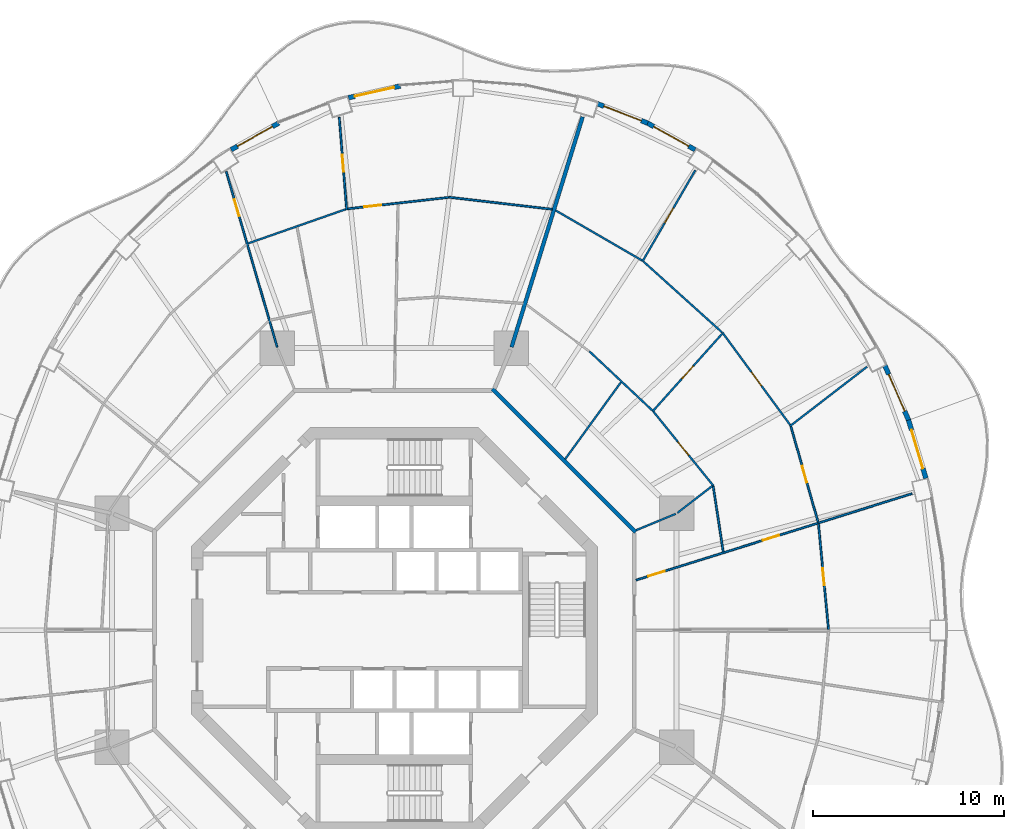
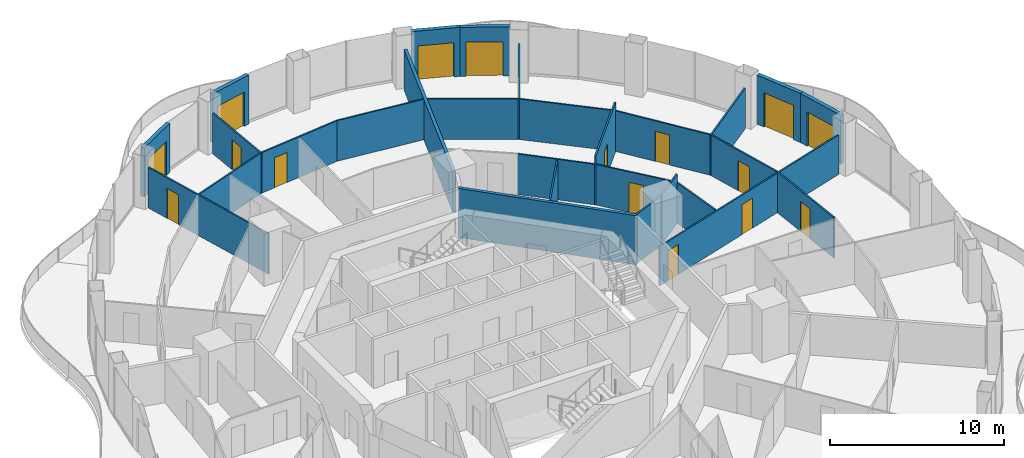
# One storey, part 15 of 19: 28 walls, 17 doors, 17 openings.
"""IFC4 building model written with IfcOpenShell, lengths in metres."""

from ifc_helpers import new_model, si_unit, direction, frame, frame_2d, origin, place, context, subcontext, project, spatial, rectangle, extrude, material, layer, layer_set, type_object, element, fill, save


model = new_model("IFC4")

# Units and contexts
model_context = context("Model", 3, precision=1e-05, world=origin(), true_north=direction((0.0, 1.0)))
body_context = subcontext(model_context, "Body", "Model", "MODEL_VIEW")
ifc_project = project(units=[si_unit("LENGTHUNIT", "METRE"), si_unit("AREAUNIT", "SQUARE_METRE"), si_unit("VOLUMEUNIT", "CUBIC_METRE"), si_unit("PLANEANGLEUNIT", "RADIAN"), si_unit("MASSUNIT", "GRAM", prefix="KILO")], contexts=[model_context])

# Site, building, storey
site_placement = place(None, origin())
site = spatial("IfcSite", under=ifc_project, at=site_placement, CompositionType="ELEMENT")
building_placement = place(site_placement, origin())
building = spatial("IfcBuilding", under=site, at=building_placement, Name="Nagisa Residences", CompositionType="ELEMENT")
storey_placement = place(building_placement, frame((0.0, 0.0, 173.300048828125)))
storey = spatial("IfcBuildingStorey", under=building, at=storey_placement, Name="L43", CompositionType="ELEMENT", Elevation=173.300048828125)

# Walls
ifc_material_1 = material(Name="Gypsum board on steel studs", Category="steel")
ifc_layer_1 = layer(ifc_material_1, 0.199951171875)
ifc_layer_set_1 = layer_set([ifc_layer_1], Name="Apartment compartment wall EI60 200")
wall_type_1 = type_object("IfcWallType", Name="Apartment compartment wall EI60 200", PredefinedType="PARTITIONING", material=ifc_layer_set_1)
wall_1_placement = place(storey_placement, frame((6.1376953125, 14.829833984375, 0.0), z_axis=(0.0, 0.0, 1.0), x_axis=(0.294818517221, 0.955553264818, 0.0)))
element("IfcWall", 1, at=wall_1_placement, inside=storey, type_object=wall_type_1, Name="wall:L43:u01", PredefinedType="PARTITIONING", context=body_context, shape_type="SweptSolid", body=[
    extrude(rectangle(XDim=12.619384765625, YDim=0.199951171875, at=frame_2d((6.3095703125, 0.0))), origin(), (0.0, 0.0, 1.0), 2.8369140625),
])
ifc_material_2 = material(Name="Gypsum board on steel studs", Category="steel")
ifc_layer_2 = layer(ifc_material_2, 0.199951171875)
ifc_layer_set_2 = layer_set([ifc_layer_2], Name="Apartment entry wall EI60 200")
wall_type_2 = type_object("IfcWallType", Name="Apartment entry wall EI60 200", PredefinedType="PARTITIONING", material=ifc_layer_set_2)
wall_2_placement = place(storey_placement, frame((12.635498046875, 5.1337890625, 0.0), z_axis=(0.0, 0.0, 1.0), x_axis=(-0.707106781187, 0.707106781187, 0.0)))
element("IfcWall", 2, at=wall_2_placement, inside=storey, type_object=wall_type_2, Name="wall:L43:u09", PredefinedType="PARTITIONING", context=body_context, shape_type="SweptSolid", body=[
    extrude(rectangle(XDim=10.609130859375, YDim=0.199951171875, at=frame_2d((5.3046875, 0.0))), origin(), (0.0, 0.0, 1.0), 3.43994140625),
])

# Wall, opening, door
ifc_material_3 = material(Name="Gypsum board on steel studs", Category="steel")
ifc_layer_3 = layer(ifc_material_3, 0.10009765625)
ifc_layer_set_3 = layer_set([ifc_layer_3], Name="Apartment partition 100")
wall_type_3 = type_object("IfcWallType", Name="Apartment partition 100", PredefinedType="PARTITIONING", material=ifc_layer_set_3)
wall_3_placement = place(storey_placement, frame((22.734375, 0.0498046875, 0.0), z_axis=(0.0, 0.0, 1.0), x_axis=(-0.094923312677, 0.995484587882, 0.0)))
wall_3 = element("IfcWall", 3, at=wall_3_placement, inside=storey, type_object=wall_type_3, Name="wall:L43:u18", PredefinedType="PARTITIONING", context=body_context, shape_type="SweptSolid", body=[
    extrude(rectangle(XDim=5.5478515625, YDim=0.10009765625, at=frame_2d((2.77392578125, 0.0))), origin(), (0.0, 0.0, 1.0), 2.8369140625),
])
opening_1_placement = place(wall_3_placement, frame((2.323974609375, 0.0, 0.0)))
opening_1 = element("IfcOpeningElement", 4, at=opening_1_placement, cuts=wall_3, Name="Opening L43-U09", PredefinedType="OPENING", context=body_context, shape_type="SweptSolid", body=[
    extrude(rectangle(XDim=0.89990234375, YDim=2.10009765625, at=frame_2d((0.449951171875, 1.050048828125))), frame((0.0, 0.06005859375, 0.0), z_axis=(0.0, -1.0, 0.0), x_axis=(1.0, 0.0, 0.0)), (0.0, 0.0, 1.0), 0.1201171875),
])
ifc_material_4 = material(Name="Timber door set", Category="wood")
door_type_1 = type_object("IfcDoorType", Name="Apartment door 900x2100", OperationType="NOTDEFINED", PredefinedType="DOOR", material=ifc_material_4)
door_1_placement = place(opening_1_placement, frame((0.89990234375, 0.0, 0.0), x_axis=(-1.0, 0.0, 0.0)))
door_1 = element("IfcDoor", 5, at=door_1_placement, inside=storey, type_object=door_type_1, Name="Door to dining room, Apartment 43A", OperationType="SINGLE_SWING_RIGHT", OverallHeight=2.10009765625, OverallWidth=0.89990234375, PredefinedType="DOOR", context=body_context, shape_type="SweptSolid", body=[
    extrude(rectangle(XDim=0.89990234375, YDim=2.10009765625, at=frame_2d((0.449951171875, 1.050048828125))), frame((0.0, 0.02490234375, 0.0), z_axis=(0.0, -1.0, 0.0), x_axis=(1.0, 0.0, 0.0)), (0.0, 0.0, 1.0), 0.050048828125),
])
fill(opening_1, door_1)

# Wall, openings, doors
wall_4_placement = place(storey_placement, frame((12.66015625, 2.632080078125, 0.0), z_axis=(0.0, 0.0, 1.0), x_axis=(0.954248738607, 0.299013954302, 0.0)))
wall_4 = element("IfcWall", 6, at=wall_4_placement, inside=storey, type_object=wall_type_3, Name="wall:L43:u20", PredefinedType="PARTITIONING", context=body_context, shape_type="SweptSolid", body=[
    extrude(rectangle(XDim=15.141845703125, YDim=0.10009765625, at=frame_2d((7.57080078125, 0.0))), origin(), (0.0, 0.0, 1.0), 2.755859375),
])
opening_2_placement = place(wall_4_placement, frame((0.668701171875, 0.0, 0.0)))
opening_2 = element("IfcOpeningElement", 7, at=opening_2_placement, cuts=wall_4, Name="Opening L43-U03", PredefinedType="OPENING", context=body_context, shape_type="SweptSolid", body=[
    extrude(rectangle(XDim=0.89990234375, YDim=2.10009765625, at=frame_2d((0.449951171875, 1.050048828125))), frame((0.0, 0.06005859375, 0.0), z_axis=(0.0, -1.0, 0.0), x_axis=(1.0, 0.0, 0.0)), (0.0, 0.0, 1.0), 0.1201171875),
])
opening_3_placement = place(wall_4_placement, frame((6.94384765625, 0.0, 0.0)))
opening_3 = element("IfcOpeningElement", 8, at=opening_3_placement, cuts=wall_4, Name="Opening L43-U06", PredefinedType="OPENING", context=body_context, shape_type="SweptSolid", body=[
    extrude(rectangle(XDim=0.89990234375, YDim=2.10009765625, at=frame_2d((0.449951171875, 1.050048828125))), frame((0.0, 0.06005859375, 0.0), z_axis=(0.0, -1.0, 0.0), x_axis=(1.0, 0.0, 0.0)), (0.0, 0.0, 1.0), 0.1201171875),
])
door_2_placement = place(opening_2_placement, origin())
door_2 = element("IfcDoor", 9, at=door_2_placement, inside=storey, type_object=door_type_1, Name="Door to family bathroom, Apartment 43A", OperationType="SINGLE_SWING_LEFT", OverallHeight=2.10009765625, OverallWidth=0.89990234375, PredefinedType="DOOR", context=body_context, shape_type="SweptSolid", body=[
    extrude(rectangle(XDim=0.89990234375, YDim=2.10009765625, at=frame_2d((0.449951171875, 1.050048828125))), frame((0.0, 0.02490234375, 0.0), z_axis=(0.0, -1.0, 0.0), x_axis=(1.0, 0.0, 0.0)), (0.0, 0.0, 1.0), 0.050048828125),
])
fill(opening_2, door_2)
door_3_placement = place(opening_3_placement, origin())
door_3 = element("IfcDoor", 10, at=door_3_placement, inside=storey, type_object=door_type_1, Name="Door to dining room, Apartment 43A", OperationType="SINGLE_SWING_RIGHT", OverallHeight=2.10009765625, OverallWidth=0.89990234375, PredefinedType="DOOR", context=body_context, shape_type="SweptSolid", body=[
    extrude(rectangle(XDim=0.89990234375, YDim=2.10009765625, at=frame_2d((0.449951171875, 1.050048828125))), frame((0.0, 0.02490234375, 0.0), z_axis=(0.0, -1.0, 0.0), x_axis=(1.0, 0.0, 0.0)), (0.0, 0.0, 1.0), 0.050048828125),
])
fill(opening_3, door_3)

# Wall
wall_5_placement = place(storey_placement, frame((17.220947265625, 4.113037109375, 0.0), z_axis=(0.0, 0.0, 1.0), x_axis=(-0.151078880423, 0.988521710379, 0.0)))
element("IfcWall", 11, at=wall_5_placement, inside=storey, type_object=wall_type_3, Name="wall:L43:u21", PredefinedType="PARTITIONING", context=body_context, shape_type="SweptSolid", body=[
    extrude(rectangle(XDim=3.469482421875, YDim=0.10009765625, at=frame_2d((1.73486328125, 0.0))), origin(), (0.0, 0.0, 1.0), 2.8369140625),
])

# Wall, opening, door
wall_6_placement = place(storey_placement, frame((22.189453125, 5.67041015625, 0.0), z_axis=(0.0, 0.0, 1.0), x_axis=(-0.273815967041, 0.961782104322, 0.0)))
wall_6 = element("IfcWall", 12, at=wall_6_placement, inside=storey, type_object=wall_type_3, Name="wall:L43:u22", PredefinedType="PARTITIONING", context=body_context, shape_type="SweptSolid", body=[
    extrude(rectangle(XDim=5.20166015625, YDim=0.10009765625, at=frame_2d((2.600830078125, 0.0))), origin(), (0.0, 0.0, 1.0), 2.8369140625),
])
opening_4_placement = place(wall_6_placement, frame((2.15087890625, 0.0, 0.0)))
opening_4 = element("IfcOpeningElement", 13, at=opening_4_placement, cuts=wall_6, Name="Opening L43-U10", PredefinedType="OPENING", context=body_context, shape_type="SweptSolid", body=[
    extrude(rectangle(XDim=0.89990234375, YDim=2.10009765625, at=frame_2d((0.449951171875, 1.050048828125))), frame((0.0, 0.06005859375, 0.0), z_axis=(0.0, -1.0, 0.0), x_axis=(1.0, 0.0, 0.0)), (0.0, 0.0, 1.0), 0.1201171875),
])
door_4_placement = place(opening_4_placement, frame((0.89990234375, 0.0, 0.0), x_axis=(-1.0, 0.0, 0.0)))
door_4 = element("IfcDoor", 14, at=door_4_placement, inside=storey, type_object=door_type_1, Name="Door to master bedroom, Apartment 43A", OperationType="SINGLE_SWING_LEFT", OverallHeight=2.10009765625, OverallWidth=0.89990234375, PredefinedType="DOOR", context=body_context, shape_type="SweptSolid", body=[
    extrude(rectangle(XDim=0.89990234375, YDim=2.10009765625, at=frame_2d((0.449951171875, 1.050048828125))), frame((0.0, 0.02490234375, 0.0), z_axis=(0.0, -1.0, 0.0), x_axis=(1.0, 0.0, 0.0)), (0.0, 0.0, 1.0), 0.050048828125),
])
fill(opening_4, door_4)

# Walls
wall_7_placement = place(storey_placement, frame((12.6572265625, 5.24267578125, 0.0), z_axis=(0.0, 0.0, 1.0), x_axis=(0.923826362943, 0.382811769845, 0.0)))
element("IfcWall", 15, at=wall_7_placement, inside=storey, type_object=wall_type_3, Name="wall:L43:u23", PredefinedType="PARTITIONING", context=body_context, shape_type="SweptSolid", body=[
    extrude(rectangle(XDim=2.25, YDim=0.10009765625, at=frame_2d((1.125, 0.0))), origin(), (0.0, 0.0, 1.0), 3.43994140625),
])
wall_8_placement = place(storey_placement, frame((14.82177734375, 6.153564453125, 0.0), z_axis=(0.0, 0.0, 1.0), x_axis=(0.792226528082, 0.610227111987, 0.0)))
element("IfcWall", 16, at=wall_8_placement, inside=storey, type_object=wall_type_3, Name="wall:L43:u24", PredefinedType="PARTITIONING", context=body_context, shape_type="SweptSolid", body=[
    extrude(rectangle(XDim=2.307373046875, YDim=0.10009765625, at=frame_2d((1.15380859375, 0.0))), origin(), (0.0, 0.0, 1.0), 3.43994140625),
])

# Wall, opening, door
wall_9_placement = place(storey_placement, frame((16.720703125, 7.55322265625, 0.0), z_axis=(0.0, 0.0, 1.0), x_axis=(-0.628753513808, 0.777604667472, 0.0)))
wall_9 = element("IfcWall", 17, at=wall_9_placement, inside=storey, type_object=wall_type_3, Name="wall:L43:u25", PredefinedType="PARTITIONING", context=body_context, shape_type="SweptSolid", body=[
    extrude(rectangle(XDim=5.00732421875, YDim=0.10009765625, at=frame_2d((2.503662109375, 0.0))), origin(), (0.0, 0.0, 1.0), 2.8369140625),
])
opening_5_placement = place(wall_9_placement, frame((2.07861328125, 0.0, 0.0)))
opening_5 = element("IfcOpeningElement", 18, at=opening_5_placement, cuts=wall_9, Name="Opening L43-U13", PredefinedType="OPENING", context=body_context, shape_type="SweptSolid", body=[
    extrude(rectangle(XDim=0.89990234375, YDim=2.10009765625, at=frame_2d((0.449951171875, 1.050048828125))), frame((0.0, 0.06005859375, 0.0), z_axis=(0.0, -1.0, 0.0), x_axis=(1.0, 0.0, 0.0)), (0.0, 0.0, 1.0), 0.1201171875),
])
door_5_placement = place(opening_5_placement, origin())
door_5 = element("IfcDoor", 19, at=door_5_placement, inside=storey, type_object=door_type_1, Name="Door to store, Apartment 43A", OperationType="SINGLE_SWING_LEFT", OverallHeight=2.10009765625, OverallWidth=0.89990234375, PredefinedType="DOOR", context=body_context, shape_type="SweptSolid", body=[
    extrude(rectangle(XDim=0.89990234375, YDim=2.10009765625, at=frame_2d((0.449951171875, 1.050048828125))), frame((0.0, 0.02490234375, 0.0), z_axis=(0.0, -1.0, 0.0), x_axis=(1.0, 0.0, 0.0)), (0.0, 0.0, 1.0), 0.050048828125),
])
fill(opening_5, door_5)

# Wall
wall_10_placement = place(storey_placement, frame((20.7119140625, 10.69091796875, 0.0), z_axis=(0.0, 0.0, 1.0), x_axis=(0.79220362146, 0.610256849323, 0.0)))
element("IfcWall", 20, at=wall_10_placement, inside=storey, type_object=wall_type_3, Name="wall:L43:u26", PredefinedType="PARTITIONING", context=body_context, shape_type="SweptSolid", body=[
    extrude(rectangle(XDim=5.09765625, YDim=0.10009765625, at=frame_2d((2.548828125, 0.0))), origin(), (0.0, 0.0, 1.0), 2.8369140625),
])

# Wall, opening, door
wall_11_placement = place(storey_placement, frame((20.721923828125, 10.76171875, 0.0), z_axis=(0.0, 0.0, 1.0), x_axis=(-0.591124135033, 0.806580595466, 0.0)))
wall_11 = element("IfcWall", 21, at=wall_11_placement, inside=storey, type_object=wall_type_3, Name="wall:L43:u27", PredefinedType="PARTITIONING", context=body_context, shape_type="SweptSolid", body=[
    extrude(rectangle(XDim=6.01025390625, YDim=0.10009765625, at=frame_2d((3.005126953125, 0.0))), origin(), (0.0, 0.0, 1.0), 2.8369140625),
])
opening_6_placement = place(wall_11_placement, frame((2.530029296875, 0.0, 0.0)))
opening_6 = element("IfcOpeningElement", 22, at=opening_6_placement, cuts=wall_11, Name="Opening L43-U11", PredefinedType="OPENING", context=body_context, shape_type="SweptSolid", body=[
    extrude(rectangle(XDim=0.89990234375, YDim=2.10009765625, at=frame_2d((0.449951171875, 1.050048828125))), frame((0.0, 0.06005859375, 0.0), z_axis=(0.0, -1.0, 0.0), x_axis=(1.0, 0.0, 0.0)), (0.0, 0.0, 1.0), 0.1201171875),
])
door_6_placement = place(opening_6_placement, frame((0.89990234375, 0.0, 0.0), x_axis=(-1.0, 0.0, 0.0)))
door_6 = element("IfcDoor", 23, at=door_6_placement, inside=storey, type_object=door_type_1, Name="Door to family room, Apartment 43A", OperationType="SINGLE_SWING_RIGHT", OverallHeight=2.10009765625, OverallWidth=0.89990234375, PredefinedType="DOOR", context=body_context, shape_type="SweptSolid", body=[
    extrude(rectangle(XDim=0.89990234375, YDim=2.10009765625, at=frame_2d((0.449951171875, 1.050048828125))), frame((0.0, 0.02490234375, 0.0), z_axis=(0.0, -1.0, 0.0), x_axis=(1.0, 0.0, 0.0)), (0.0, 0.0, 1.0), 0.050048828125),
])
fill(opening_6, door_6)

wall_12_placement = place(storey_placement, frame((13.50732421875, 11.44873046875, 0.0), z_axis=(0.0, 0.0, 1.0), x_axis=(0.667299792168, 0.744789223453, 0.0)))
wall_12 = element("IfcWall", 24, at=wall_12_placement, inside=storey, type_object=wall_type_3, Name="wall:L43:u28", PredefinedType="PARTITIONING", context=body_context, shape_type="SweptSolid", body=[
    extrude(rectangle(XDim=5.482177734375, YDim=0.10009765625, at=frame_2d((2.7412109375, 0.0))), origin(), (0.0, 0.0, 1.0), 3.43994140625),
])
opening_7_placement = place(wall_12_placement, frame((2.316162109375, 0.0, 0.0)))
opening_7 = element("IfcOpeningElement", 25, at=opening_7_placement, cuts=wall_12, Name="Opening L43-U07", PredefinedType="OPENING", context=body_context, shape_type="SweptSolid", body=[
    extrude(rectangle(XDim=0.89990234375, YDim=2.10009765625, at=frame_2d((0.449951171875, 1.050048828125))), frame((0.0, 0.06005859375, 0.0), z_axis=(0.0, -1.0, 0.0), x_axis=(1.0, 0.0, 0.0)), (0.0, 0.0, 1.0), 0.1201171875),
])
door_7_placement = place(opening_7_placement, origin())
door_7 = element("IfcDoor", 26, at=door_7_placement, inside=storey, type_object=door_type_1, Name="Door to family room, Apartment 43A", OperationType="SINGLE_SWING_LEFT", OverallHeight=2.10009765625, OverallWidth=0.89990234375, PredefinedType="DOOR", context=body_context, shape_type="SweptSolid", body=[
    extrude(rectangle(XDim=0.89990234375, YDim=2.10009765625, at=frame_2d((0.449951171875, 1.050048828125))), frame((0.0, 0.02490234375, 0.0), z_axis=(0.0, -1.0, 0.0), x_axis=(1.0, 0.0, 0.0)), (0.0, 0.0, 1.0), 0.050048828125),
])
fill(opening_7, door_7)

# Walls
wall_13_placement = place(storey_placement, frame((13.50439453125, 11.52001953125, 0.0), z_axis=(0.0, 0.0, 1.0), x_axis=(-0.728883199496, 0.684638066055, 0.0)))
element("IfcWall", 27, at=wall_13_placement, inside=storey, type_object=wall_type_3, Name="wall:L43:u29", PredefinedType="PARTITIONING", context=body_context, shape_type="SweptSolid", body=[
    extrude(rectangle(XDim=4.519287109375, YDim=0.10009765625, at=frame_2d((2.259765625, 0.0))), origin(), (0.0, 0.0, 1.0), 2.8369140625),
])
wall_14_placement = place(storey_placement, frame((17.16162109375, 15.6025390625, 0.0), z_axis=(0.0, 0.0, 1.0), x_axis=(-0.742790086539, 0.66952437397, 0.0)))
element("IfcWall", 28, at=wall_14_placement, inside=storey, type_object=wall_type_3, Name="wall:L43:u30", PredefinedType="PARTITIONING", context=body_context, shape_type="SweptSolid", body=[
    extrude(rectangle(XDim=5.54150390625, YDim=0.10009765625, at=frame_2d((2.770751953125, 0.0))), origin(), (0.0, 0.0, 1.0), 2.8369140625),
])
wall_15_placement = place(storey_placement, frame((8.943359375, 8.965576171875, 0.0), z_axis=(0.0, 0.0, 1.0), x_axis=(0.587187896734, 0.809450661825, 0.0)))
element("IfcWall", 29, at=wall_15_placement, inside=storey, type_object=wall_type_3, Name="wall:L43:u31", PredefinedType="PARTITIONING", context=body_context, shape_type="SweptSolid", body=[
    extrude(rectangle(XDim=4.974853515625, YDim=0.10009765625, at=frame_2d((2.4873046875, 0.0))), origin(), (0.0, 0.0, 1.0), 2.755859375),
])

# Wall, opening, door
wall_16_placement = place(storey_placement, frame((12.983154296875, 19.302978515625, 0.0), z_axis=(0.0, 0.0, 1.0), x_axis=(0.501315846071, 0.865264365659, 0.0)))
wall_16 = element("IfcWall", 30, at=wall_16_placement, inside=storey, type_object=wall_type_3, Name="wall:L43:u33", PredefinedType="PARTITIONING", context=body_context, shape_type="SweptSolid", body=[
    extrude(rectangle(XDim=5.54150390625, YDim=0.10009765625, at=frame_2d((2.770751953125, 0.0))), origin(), (0.0, 0.0, 1.0), 2.8369140625),
])
opening_8_placement = place(wall_16_placement, frame((2.345703125, 0.0, 0.0)))
opening_8 = element("IfcOpeningElement", 31, at=opening_8_placement, cuts=wall_16, Name="Opening L43-U12", PredefinedType="OPENING", context=body_context, shape_type="SweptSolid", body=[
    extrude(rectangle(XDim=0.89990234375, YDim=2.10009765625, at=frame_2d((0.449951171875, 1.050048828125))), frame((0.0, 0.06005859375, 0.0), z_axis=(0.0, -1.0, 0.0), x_axis=(1.0, 0.0, 0.0)), (0.0, 0.0, 1.0), 0.1201171875),
])
door_8_placement = place(opening_8_placement, origin())
door_8 = element("IfcDoor", 32, at=door_8_placement, inside=storey, type_object=door_type_1, Name="Door to living room, Apartment 43A", OperationType="SINGLE_SWING_RIGHT", OverallHeight=2.10009765625, OverallWidth=0.89990234375, PredefinedType="DOOR", context=body_context, shape_type="SweptSolid", body=[
    extrude(rectangle(XDim=0.89990234375, YDim=2.10009765625, at=frame_2d((0.449951171875, 1.050048828125))), frame((0.0, 0.02490234375, 0.0), z_axis=(0.0, -1.0, 0.0), x_axis=(1.0, 0.0, 0.0)), (0.0, 0.0, 1.0), 0.050048828125),
])
fill(opening_8, door_8)

# Walls
wall_17_placement = place(storey_placement, frame((12.965087890625, 19.371337890625, 0.0), z_axis=(0.0, 0.0, 1.0), x_axis=(-0.865286427811, 0.501277765163, 0.0)))
element("IfcWall", 33, at=wall_17_placement, inside=storey, type_object=wall_type_3, Name="wall:L43:u34", PredefinedType="PARTITIONING", context=body_context, shape_type="SweptSolid", body=[
    extrude(rectangle(XDim=5.219970703125, YDim=0.10009765625, at=frame_2d((2.60986328125, 0.0))), origin(), (0.0, 0.0, 1.0), 2.8369140625),
])
wall_18_placement = place(storey_placement, frame((8.262451171875, 22.0498046875, 0.0), z_axis=(0.0, 0.0, 1.0), x_axis=(-0.993250089265, 0.115992500516, 0.0)))
element("IfcWall", 34, at=wall_18_placement, inside=storey, type_object=wall_type_3, Name="wall:L43:u36", PredefinedType="PARTITIONING", context=body_context, shape_type="SweptSolid", body=[
    extrude(rectangle(XDim=5.457763671875, YDim=0.10009765625, at=frame_2d((2.72900390625, 0.0))), origin(), (0.0, 0.0, 1.0), 2.8369140625),
])

# Wall, opening, door
wall_19_placement = place(storey_placement, frame((2.841552734375, 22.67138671875, 0.0), z_axis=(0.0, 0.0, 1.0), x_axis=(-0.993660315081, -0.112424099879, 0.0)))
wall_19 = element("IfcWall", 35, at=wall_19_placement, inside=storey, type_object=wall_type_3, Name="wall:L43:u38", PredefinedType="PARTITIONING", context=body_context, shape_type="SweptSolid", body=[
    extrude(rectangle(XDim=5.32470703125, YDim=0.10009765625, at=frame_2d((2.662353515625, 0.0))), origin(), (0.0, 0.0, 1.0), 2.8369140625),
])
opening_9_placement = place(wall_19_placement, frame((3.543701171875, 0.0, 0.0)))
opening_9 = element("IfcOpeningElement", 36, at=opening_9_placement, cuts=wall_19, Name="Opening L43-U20", PredefinedType="OPENING", context=body_context, shape_type="SweptSolid", body=[
    extrude(rectangle(XDim=0.89990234375, YDim=2.10009765625, at=frame_2d((0.449951171875, 1.050048828125))), frame((0.0, 0.06005859375, 0.0), z_axis=(0.0, -1.0, 0.0), x_axis=(1.0, 0.0, 0.0)), (0.0, 0.0, 1.0), 0.1201171875),
])
door_9_placement = place(opening_9_placement, frame((0.89990234375, 0.0, 0.0), x_axis=(-1.0, 0.0, 0.0)))
door_9 = element("IfcDoor", 37, at=door_9_placement, inside=storey, type_object=door_type_1, Name="Door to living room, Apartment 43B", OperationType="SINGLE_SWING_LEFT", OverallHeight=2.10009765625, OverallWidth=0.89990234375, PredefinedType="DOOR", context=body_context, shape_type="SweptSolid", body=[
    extrude(rectangle(XDim=0.89990234375, YDim=2.10009765625, at=frame_2d((0.449951171875, 1.050048828125))), frame((0.0, 0.02490234375, 0.0), z_axis=(0.0, -1.0, 0.0), x_axis=(1.0, 0.0, 0.0)), (0.0, 0.0, 1.0), 0.050048828125),
])
fill(opening_9, door_9)

wall_20_placement = place(storey_placement, frame((-2.4951171875, 22.017333984375, 0.0), z_axis=(0.0, 0.0, 1.0), x_axis=(-0.080150660566, 0.99678276049, 0.0)))
wall_20 = element("IfcWall", 38, at=wall_20_placement, inside=storey, type_object=wall_type_3, Name="wall:L43:u40", PredefinedType="PARTITIONING", context=body_context, shape_type="SweptSolid", body=[
    extrude(rectangle(XDim=4.8583984375, YDim=0.10009765625, at=frame_2d((2.42919921875, 0.0))), origin(), (0.0, 0.0, 1.0), 2.8369140625),
])
opening_10_placement = place(wall_20_placement, frame((2.004150390625, 0.0, 0.0)))
opening_10 = element("IfcOpeningElement", 39, at=opening_10_placement, cuts=wall_20, Name="Opening L43-U21", PredefinedType="OPENING", context=body_context, shape_type="SweptSolid", body=[
    extrude(rectangle(XDim=0.89990234375, YDim=2.10009765625, at=frame_2d((0.449951171875, 1.050048828125))), frame((0.0, 0.06005859375, 0.0), z_axis=(0.0, -1.0, 0.0), x_axis=(1.0, 0.0, 0.0)), (0.0, 0.0, 1.0), 0.1201171875),
])
door_10_placement = place(opening_10_placement, origin())
door_10 = element("IfcDoor", 40, at=door_10_placement, inside=storey, type_object=door_type_1, Name="Door to bedroom, Apartment 43B", OperationType="SINGLE_SWING_LEFT", OverallHeight=2.10009765625, OverallWidth=0.89990234375, PredefinedType="DOOR", context=body_context, shape_type="SweptSolid", body=[
    extrude(rectangle(XDim=0.89990234375, YDim=2.10009765625, at=frame_2d((0.449951171875, 1.050048828125))), frame((0.0, 0.02490234375, 0.0), z_axis=(0.0, -1.0, 0.0), x_axis=(1.0, 0.0, 0.0)), (0.0, 0.0, 1.0), 0.050048828125),
])
fill(opening_10, door_10)

# Wall
wall_21_placement = place(storey_placement, frame((-2.54638671875, 22.050537109375, 0.0), z_axis=(0.0, 0.0, 1.0), x_axis=(-0.943911038661, -0.330199865375, 0.0)))
element("IfcWall", 41, at=wall_21_placement, inside=storey, type_object=wall_type_3, Name="wall:L43:u41", PredefinedType="PARTITIONING", context=body_context, shape_type="SweptSolid", body=[
    extrude(rectangle(XDim=5.41748046875, YDim=0.10009765625, at=frame_2d((2.708740234375, 0.0))), origin(), (0.0, 0.0, 1.0), 2.8369140625),
])

# Wall, opening, door
wall_22_placement = place(storey_placement, frame((-6.136962890625, 14.830078125, 0.0), z_axis=(0.0, 0.0, 1.0), x_axis=(-0.278461169897, 0.96044748782, 0.0)))
wall_22 = element("IfcWall", 42, at=wall_22_placement, inside=storey, type_object=wall_type_3, Name="wall:L43:u45", PredefinedType="PARTITIONING", context=body_context, shape_type="SweptSolid", body=[
    extrude(rectangle(XDim=9.5732421875, YDim=0.10009765625, at=frame_2d((4.78662109375, 0.0))), origin(), (0.0, 0.0, 1.0), 2.8369140625),
])
opening_11_placement = place(wall_22_placement, frame((7.15576171875, 0.0, 0.0)))
opening_11 = element("IfcOpeningElement", 43, at=opening_11_placement, cuts=wall_22, Name="Opening L43-U22", PredefinedType="OPENING", context=body_context, shape_type="SweptSolid", body=[
    extrude(rectangle(XDim=0.89990234375, YDim=2.10009765625, at=frame_2d((0.449951171875, 1.050048828125))), frame((0.0, 0.06005859375, 0.0), z_axis=(0.0, -1.0, 0.0), x_axis=(1.0, 0.0, 0.0)), (0.0, 0.0, 1.0), 0.1201171875),
])
door_11_placement = place(opening_11_placement, origin())
door_11 = element("IfcDoor", 44, at=door_11_placement, inside=storey, type_object=door_type_1, Name="Door to family room, Apartment 43B", OperationType="SINGLE_SWING_RIGHT", OverallHeight=2.10009765625, OverallWidth=0.89990234375, PredefinedType="DOOR", context=body_context, shape_type="SweptSolid", body=[
    extrude(rectangle(XDim=0.89990234375, YDim=2.10009765625, at=frame_2d((0.449951171875, 1.050048828125))), frame((0.0, 0.02490234375, 0.0), z_axis=(0.0, -1.0, 0.0), x_axis=(1.0, 0.0, 0.0)), (0.0, 0.0, 1.0), 0.050048828125),
])
fill(opening_11, door_11)

ifc_material_5 = material(Name="Precast concrete C40/50", Category="concrete")
ifc_layer_4 = layer(ifc_material_5, 0.25)
ifc_layer_set_4 = layer_set([ifc_layer_4], Name="BALCONY DOOR WALL 250")
wall_type_4 = type_object("IfcWallType", Name="BALCONY DOOR WALL 250", PredefinedType="SOLIDWALL", material=ifc_layer_set_4)
wall_23_placement = place(storey_placement, frame((26.923583984375, 11.01416015625, 0.0), z_axis=(0.0, 0.0, 1.0), x_axis=(0.28584838049, -0.958274857946, 0.0)))
wall_23 = element("IfcWall", 45, at=wall_23_placement, inside=storey, type_object=wall_type_4, Name="wall:L43:bay02", PredefinedType="SOLIDWALL", context=body_context, shape_type="SweptSolid", body=[
    extrude(rectangle(XDim=3.182373046875, YDim=0.25, at=frame_2d((1.59130859375, 0.0))), origin(), (0.0, 0.0, 1.0), 3.43994140625),
])
opening_12_placement = place(wall_23_placement, frame((0.541259765625, 0.0, 0.0)))
opening_12 = element("IfcOpeningElement", 46, at=opening_12_placement, cuts=wall_23, Name="Opening BD-L43-01", PredefinedType="OPENING", context=body_context, shape_type="SweptSolid", body=[
    extrude(rectangle(XDim=2.10009765625, YDim=2.39990234375, at=frame_2d((1.050048828125, 1.199951171875))), frame((0.0, 0.135009765625, 0.0), z_axis=(0.0, -1.0, 0.0), x_axis=(1.0, 0.0, 0.0)), (0.0, 0.0, 1.0), 0.27001953125),
])
ifc_material_6 = material(Name="Aluminium and clear glass", Category="aluminium")
door_type_2 = type_object("IfcDoorType", Name="BALCONY SLIDING DOOR 2100x2400", OperationType="SLIDING_TO_LEFT", PredefinedType="DOOR", material=ifc_material_6)
door_12_placement = place(opening_12_placement, origin())
door_12 = element("IfcDoor", 47, at=door_12_placement, inside=storey, type_object=door_type_2, Name="door:L43:bay02", OperationType="SLIDING_TO_LEFT", OverallHeight=2.39990234375, OverallWidth=2.10009765625, PredefinedType="DOOR", context=body_context, shape_type="SweptSolid", body=[
    extrude(rectangle(XDim=2.10009765625, YDim=2.39990234375, at=frame_2d((1.050048828125, 1.199951171875))), frame((0.0, 0.02490234375, 0.0), z_axis=(0.0, -1.0, 0.0), x_axis=(1.0, 0.0, 0.0)), (0.0, 0.0, 1.0), 0.050048828125),
])
fill(opening_12, door_12)

wall_24_placement = place(storey_placement, frame((25.679443359375, 13.883056640625, 0.0), z_axis=(0.0, 0.0, 1.0), x_axis=(0.397620521824, -0.917549955384, 0.0)))
wall_24 = element("IfcWall", 48, at=wall_24_placement, inside=storey, type_object=wall_type_4, Name="wall:L43:bay03", PredefinedType="SOLIDWALL", context=body_context, shape_type="SweptSolid", body=[
    extrude(rectangle(XDim=3.141845703125, YDim=0.25, at=frame_2d((1.57080078125, 0.0))), origin(), (0.0, 0.0, 1.0), 3.43994140625),
])
opening_13_placement = place(wall_24_placement, frame((0.52099609375, 0.0, 0.0)))
opening_13 = element("IfcOpeningElement", 49, at=opening_13_placement, cuts=wall_24, Name="Opening BD-L43-02", PredefinedType="OPENING", context=body_context, shape_type="SweptSolid", body=[
    extrude(rectangle(XDim=2.10009765625, YDim=2.39990234375, at=frame_2d((1.050048828125, 1.199951171875))), frame((0.0, 0.135009765625, 0.0), z_axis=(0.0, -1.0, 0.0), x_axis=(1.0, 0.0, 0.0)), (0.0, 0.0, 1.0), 0.27001953125),
])
door_13_placement = place(opening_13_placement, origin())
door_13 = element("IfcDoor", 50, at=door_13_placement, inside=storey, type_object=door_type_2, Name="door:L43:bay03", OperationType="SLIDING_TO_LEFT", OverallHeight=2.39990234375, OverallWidth=2.10009765625, PredefinedType="DOOR", context=body_context, shape_type="SweptSolid", body=[
    extrude(rectangle(XDim=2.10009765625, YDim=2.39990234375, at=frame_2d((1.050048828125, 1.199951171875))), frame((0.0, 0.02490234375, 0.0), z_axis=(0.0, -1.0, 0.0), x_axis=(1.0, 0.0, 0.0)), (0.0, 0.0, 1.0), 0.050048828125),
])
fill(opening_13, door_13)

wall_25_placement = place(storey_placement, frame((13.24951171875, 26.568115234375, 0.0), z_axis=(0.0, 0.0, 1.0), x_axis=(0.872057843239, -0.489402817774, 0.0)))
wall_25 = element("IfcWall", 51, at=wall_25_placement, inside=storey, type_object=wall_type_4, Name="wall:L43:bay08", PredefinedType="SOLIDWALL", context=body_context, shape_type="SweptSolid", body=[
    extrude(rectangle(XDim=2.863525390625, YDim=0.25, at=frame_2d((1.431640625, 0.0))), origin(), (0.0, 0.0, 1.0), 3.43994140625),
])
opening_14_placement = place(wall_25_placement, frame((0.3818359375, 0.0, 0.0)))
opening_14 = element("IfcOpeningElement", 52, at=opening_14_placement, cuts=wall_25, Name="Opening BD-L43-03", PredefinedType="OPENING", context=body_context, shape_type="SweptSolid", body=[
    extrude(rectangle(XDim=2.10009765625, YDim=2.39990234375, at=frame_2d((1.050048828125, 1.199951171875))), frame((0.0, 0.135009765625, 0.0), z_axis=(0.0, -1.0, 0.0), x_axis=(1.0, 0.0, 0.0)), (0.0, 0.0, 1.0), 0.27001953125),
])
door_14_placement = place(opening_14_placement, origin())
door_14 = element("IfcDoor", 53, at=door_14_placement, inside=storey, type_object=door_type_2, Name="door:L43:bay08", OperationType="SLIDING_TO_LEFT", OverallHeight=2.39990234375, OverallWidth=2.10009765625, PredefinedType="DOOR", context=body_context, shape_type="SweptSolid", body=[
    extrude(rectangle(XDim=2.10009765625, YDim=2.39990234375, at=frame_2d((1.050048828125, 1.199951171875))), frame((0.0, 0.02490234375, 0.0), z_axis=(0.0, -1.0, 0.0), x_axis=(1.0, 0.0, 0.0)), (0.0, 0.0, 1.0), 0.050048828125),
])
fill(opening_14, door_14)

wall_26_placement = place(storey_placement, frame((10.635498046875, 27.576416015625, 0.0), z_axis=(0.0, 0.0, 1.0), x_axis=(0.932806734513, -0.360377019311, 0.0)))
wall_26 = element("IfcWall", 54, at=wall_26_placement, inside=storey, type_object=wall_type_4, Name="wall:L43:bay09", PredefinedType="SOLIDWALL", context=body_context, shape_type="SweptSolid", body=[
    extrude(rectangle(XDim=2.819580078125, YDim=0.25, at=frame_2d((1.40966796875, 0.0))), origin(), (0.0, 0.0, 1.0), 3.43994140625),
])
opening_15_placement = place(wall_26_placement, frame((0.359619140625, 0.0, 0.0)))
opening_15 = element("IfcOpeningElement", 55, at=opening_15_placement, cuts=wall_26, Name="Opening BD-L43-04", PredefinedType="OPENING", context=body_context, shape_type="SweptSolid", body=[
    extrude(rectangle(XDim=2.10009765625, YDim=2.39990234375, at=frame_2d((1.050048828125, 1.199951171875))), frame((0.0, 0.135009765625, 0.0), z_axis=(0.0, -1.0, 0.0), x_axis=(1.0, 0.0, 0.0)), (0.0, 0.0, 1.0), 0.27001953125),
])
door_15_placement = place(opening_15_placement, origin())
door_15 = element("IfcDoor", 56, at=door_15_placement, inside=storey, type_object=door_type_2, Name="door:L43:bay09", OperationType="SLIDING_TO_LEFT", OverallHeight=2.39990234375, OverallWidth=2.10009765625, PredefinedType="DOOR", context=body_context, shape_type="SweptSolid", body=[
    extrude(rectangle(XDim=2.10009765625, YDim=2.39990234375, at=frame_2d((1.050048828125, 1.199951171875))), frame((0.0, 0.02490234375, 0.0), z_axis=(0.0, -1.0, 0.0), x_axis=(1.0, 0.0, 0.0)), (0.0, 0.0, 1.0), 0.050048828125),
])
fill(opening_15, door_15)

wall_27_placement = place(storey_placement, frame((-2.403564453125, 27.890625, 0.0), z_axis=(0.0, 0.0, 1.0), x_axis=(0.975324329911, 0.220776926974, 0.0)))
wall_27 = element("IfcWall", 57, at=wall_27_placement, inside=storey, type_object=wall_type_4, Name="wall:L43:bay13", PredefinedType="SOLIDWALL", context=body_context, shape_type="SweptSolid", body=[
    extrude(rectangle(XDim=2.787841796875, YDim=0.25, at=frame_2d((1.39404296875, 0.0))), origin(), (0.0, 0.0, 1.0), 3.43994140625),
])
opening_16_placement = place(wall_27_placement, frame((0.343994140625, 0.0, 0.0)))
opening_16 = element("IfcOpeningElement", 58, at=opening_16_placement, cuts=wall_27, Name="Opening BD-L43-05", PredefinedType="OPENING", context=body_context, shape_type="SweptSolid", body=[
    extrude(rectangle(XDim=2.10009765625, YDim=2.39990234375, at=frame_2d((1.050048828125, 1.199951171875))), frame((0.0, 0.135009765625, 0.0), z_axis=(0.0, -1.0, 0.0), x_axis=(1.0, 0.0, 0.0)), (0.0, 0.0, 1.0), 0.27001953125),
])
door_16_placement = place(opening_16_placement, origin())
door_16 = element("IfcDoor", 59, at=door_16_placement, inside=storey, type_object=door_type_2, Name="door:L43:bay13", OperationType="SLIDING_TO_LEFT", OverallHeight=2.39990234375, OverallWidth=2.10009765625, PredefinedType="DOOR", context=body_context, shape_type="SweptSolid", body=[
    extrude(rectangle(XDim=2.10009765625, YDim=2.39990234375, at=frame_2d((1.050048828125, 1.199951171875))), frame((0.0, 0.02490234375, 0.0), z_axis=(0.0, -1.0, 0.0), x_axis=(1.0, 0.0, 0.0)), (0.0, 0.0, 1.0), 0.050048828125),
])
fill(opening_16, door_16)

wall_28_placement = place(storey_placement, frame((-8.546630859375, 25.166748046875, 0.0), z_axis=(0.0, 0.0, 1.0), x_axis=(0.872078262455, 0.489366431371, 0.0)))
wall_28 = element("IfcWall", 60, at=wall_28_placement, inside=storey, type_object=wall_type_4, Name="wall:L43:bay15", PredefinedType="SOLIDWALL", context=body_context, shape_type="SweptSolid", body=[
    extrude(rectangle(XDim=2.863525390625, YDim=0.25, at=frame_2d((1.431640625, 0.0))), origin(), (0.0, 0.0, 1.0), 3.43994140625),
])
opening_17_placement = place(wall_28_placement, frame((0.3818359375, 0.0, 0.0)))
opening_17 = element("IfcOpeningElement", 61, at=opening_17_placement, cuts=wall_28, Name="Opening BD-L43-06", PredefinedType="OPENING", context=body_context, shape_type="SweptSolid", body=[
    extrude(rectangle(XDim=2.10009765625, YDim=2.39990234375, at=frame_2d((1.050048828125, 1.199951171875))), frame((0.0, 0.135009765625, 0.0), z_axis=(0.0, -1.0, 0.0), x_axis=(1.0, 0.0, 0.0)), (0.0, 0.0, 1.0), 0.27001953125),
])
door_17_placement = place(opening_17_placement, origin())
door_17 = element("IfcDoor", 62, at=door_17_placement, inside=storey, type_object=door_type_2, Name="door:L43:bay15", OperationType="SLIDING_TO_LEFT", OverallHeight=2.39990234375, OverallWidth=2.10009765625, PredefinedType="DOOR", context=body_context, shape_type="SweptSolid", body=[
    extrude(rectangle(XDim=2.10009765625, YDim=2.39990234375, at=frame_2d((1.050048828125, 1.199951171875))), frame((0.0, 0.02490234375, 0.0), z_axis=(0.0, -1.0, 0.0), x_axis=(1.0, 0.0, 0.0)), (0.0, 0.0, 1.0), 0.050048828125),
])
fill(opening_17, door_17)

save(model, "model.ifc")
